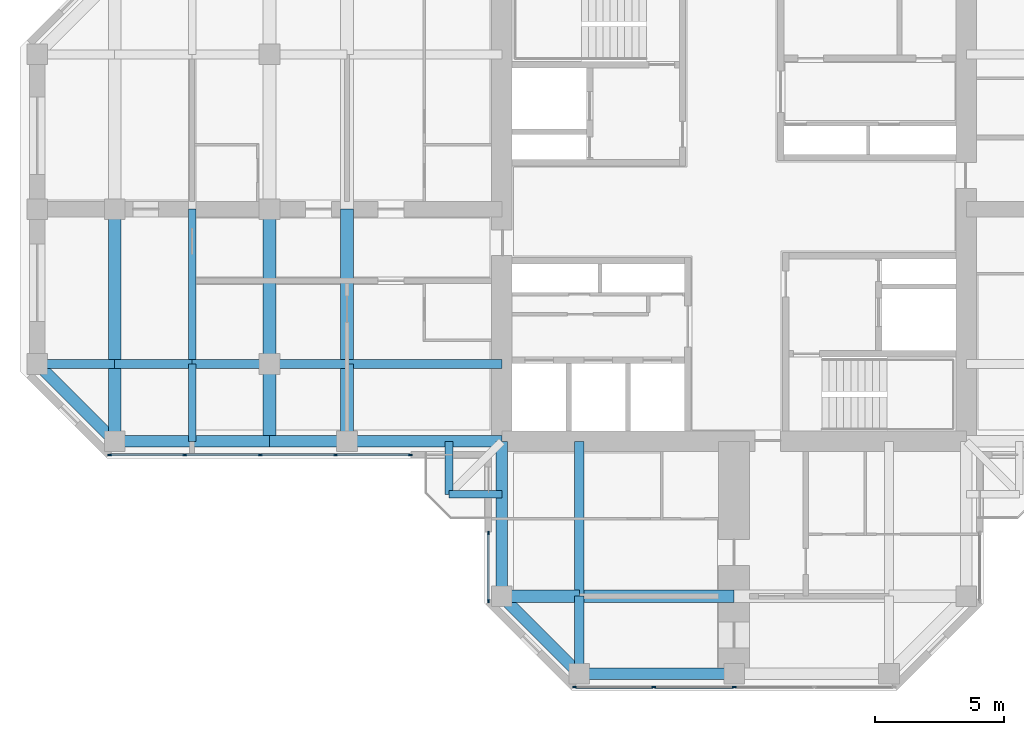
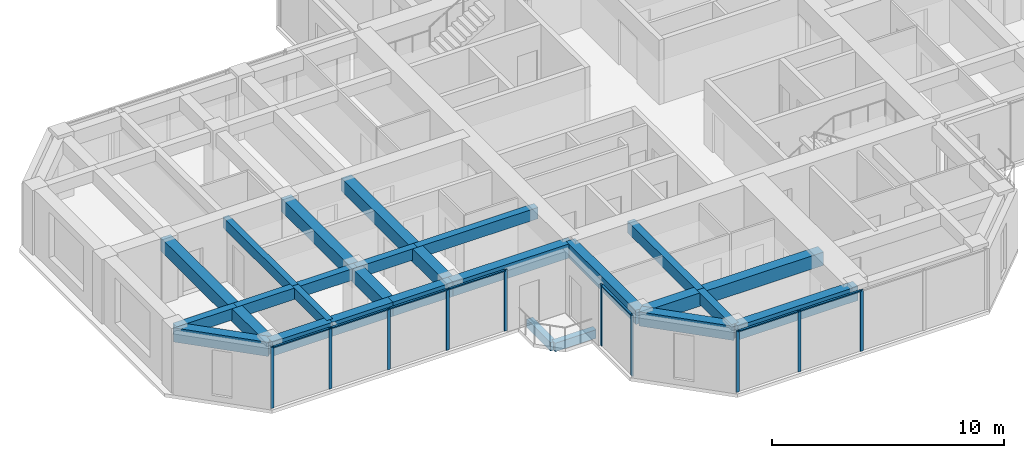
# One storey, part 2 of 13: 27 beams, 17 members, 3 elements without a shape of their own.
"""IFC4 building model written with IfcOpenShell, lengths in metres."""

from ifc_helpers import new_model, si_unit, direction, frame, origin, origin_2d, place, context, subcontext, project, spatial, rectangle, extrude, material, material_profile, profile_set, type_object, element, aggregate, save


model = new_model("IFC4")

# Units and contexts
model_context = context("Model", 3, precision=1e-05, world=origin(), true_north=direction((0.0, 1.0)))
body_context = subcontext(model_context, "Body", "Model", "MODEL_VIEW")
ifc_project = project(units=[si_unit("LENGTHUNIT", "METRE"), si_unit("AREAUNIT", "SQUARE_METRE"), si_unit("VOLUMEUNIT", "CUBIC_METRE"), si_unit("PLANEANGLEUNIT", "RADIAN"), si_unit("MASSUNIT", "GRAM", prefix="KILO")], contexts=[model_context])

# Site, building, storey
site_placement = place(None, origin())
site = spatial("IfcSite", under=ifc_project, at=site_placement, CompositionType="ELEMENT")
building_placement = place(site_placement, origin())
building = spatial("IfcBuilding", under=site, at=building_placement, Name="Torre Cruceta", CompositionType="ELEMENT")
storey_placement = place(building_placement, frame((0.0, 0.0, 232.300048828125)))
storey = spatial("IfcBuildingStorey", under=building, at=storey_placement, Name="L59", CompositionType="ELEMENT", Elevation=232.300048828125)

# Beams
ifc_material_1 = material(Name="Concrete G60 (fck 60 MPa)", Category="concrete")
ifc_material_profile_1 = material_profile(ifc_material_1, rectangle(XDim=0.300048828125, YDim=0.449951171875, at=origin_2d()), Name="RC 300X450")
ifc_profile_set_1 = profile_set([ifc_material_profile_1], Name="Concrete G60 (fck 60 MPa)")
beam_type_1 = type_object("IfcBeamType", Name="BALCONY CANTILEVER BEAM RC 300X450", PredefinedType="BEAM", material=ifc_profile_set_1)
for number, where, z_axis, x_axis, name in (
    (1, (-11.050537109375, -9.0, -0.405029296875), (0.0, -1.0, 0.0), (1.0, 0.0, 0.0), "BB1 balcony edge beam L59 W-X"),
    (2, (-9.0, -11.050537109375, -0.405029296875), (-1.0, 0.0, 0.0), (0.0, -1.0, 0.0), "BB1 balcony edge beam L59 W-Y"),
):
    element("IfcBeam", number, at=place(storey_placement, frame(where, z_axis=z_axis, x_axis=x_axis)), inside=storey, type_object=beam_type_1, Name=name, PredefinedType="BEAM", context=body_context, shape_type="SweptSolid", body=[
        extrude(rectangle(XDim=0.300048828125, YDim=0.449951171875, at=origin_2d()), origin(), (0.0, 0.0, 1.0), 2.050537109375),
    ])
ifc_material_2 = material(Name="Concrete G60 (fck 60 MPa)", Category="concrete")
ifc_material_profile_2 = material_profile(ifc_material_2, rectangle(XDim=0.35009765625, YDim=0.60009765625, at=origin_2d()), Name="RC 350X600")
ifc_profile_set_2 = profile_set([ifc_material_profile_2], Name="Concrete G60 (fck 60 MPa)")
beam_type_2 = type_object("IfcBeamType", Name="COLUMN LINE BEAM RC 350X600", PredefinedType="BEAM", material=ifc_profile_set_2)
beam_1_placement = place(storey_placement, frame((-6.0, -9.0, 2.919921875), z_axis=(0.0, -1.0, 0.0), x_axis=(1.0, 0.0, 0.0)))
element("IfcBeam", 3, at=beam_1_placement, inside=storey, type_object=beam_type_2, Name="LB9 L59 S col- 1", PredefinedType="BEAM", context=body_context, shape_type="SweptSolid", body=[
    extrude(rectangle(XDim=0.35009765625, YDim=0.60009765625, at=origin_2d()), origin(), (0.0, 0.0, 1.0), 6.0),
])
beam_2_placement = place(storey_placement, frame((-6.0, -15.0, 2.919921875), z_axis=(0.0, -1.0, 0.0), x_axis=(1.0, 0.0, 0.0)))
element("IfcBeam", 4, at=beam_2_placement, inside=storey, type_object=beam_type_2, Name="LB9 L59 S col- 2", PredefinedType="BEAM", context=body_context, shape_type="SweptSolid", body=[
    extrude(rectangle(XDim=0.35009765625, YDim=0.60009765625, at=origin_2d()), origin(), (0.0, 0.0, 1.0), 3.0),
])
beam_3_placement = place(storey_placement, frame((-9.0, -6.0, 2.919921875), z_axis=(-1.0, 0.0, 0.0), x_axis=(0.0, -1.0, 0.0)))
element("IfcBeam", 5, at=beam_3_placement, inside=storey, type_object=beam_type_2, Name="LB9 L59 W col+ 1", PredefinedType="BEAM", context=body_context, shape_type="SweptSolid", body=[
    extrude(rectangle(XDim=0.35009765625, YDim=0.60009765625, at=origin_2d()), origin(), (0.0, 0.0, 1.0), 6.0),
])
for number, where, z_axis, x_axis, name in (
    (6, (-15.0, -6.0, 2.919921875), (-1.0, 0.0, 0.0), (0.0, -1.0, 0.0), "LB9 L59 W col+ 2"),
    (7, (-18.0, -6.0, 2.919921875), (-1.0, 0.0, 0.0), (0.0, -1.0, 0.0), "LB9 L59 W col+ 3"),
    (8, (-21.0, -6.0, 2.919921875), (-1.0, 0.0, 0.0), (0.0, -1.0, 0.0), "LB9 L59 W col+ 4"),
    (9, (-24.0, -6.0, 2.919921875), (-1.0, 0.0, 0.0), (0.0, -1.0, 0.0), "LB9 L59 W col+ 5"),
):
    element("IfcBeam", number, at=place(storey_placement, frame(where, z_axis=z_axis, x_axis=x_axis)), inside=storey, type_object=beam_type_2, Name=name, PredefinedType="BEAM", context=body_context, shape_type="SweptSolid", body=[
        extrude(rectangle(XDim=0.35009765625, YDim=0.60009765625, at=origin_2d()), origin(), (0.0, 0.0, 1.0), 3.0),
    ])
ifc_material_3 = material(Name="Concrete G60 (fck 60 MPa)", Category="concrete")
ifc_material_profile_3 = material_profile(ifc_material_3, rectangle(XDim=0.5, YDim=0.699951171875, at=origin_2d()), Name="RC 500X700")
ifc_profile_set_3 = profile_set([ifc_material_profile_3], Name="Concrete G60 (fck 60 MPa)")
beam_type_3 = type_object("IfcBeamType", Name="CROSS BEAM RC 500X700", PredefinedType="BEAM", material=ifc_profile_set_3)
beam_4_placement = place(storey_placement, frame((-9.0, -15.0, 2.869873046875), z_axis=(1.0, 0.0, 0.0), x_axis=(0.0, 1.0, 0.0)))
element("IfcBeam", 10, at=beam_4_placement, inside=storey, type_object=beam_type_3, Name="GB7 L59 S cross15 1", PredefinedType="BEAM", context=body_context, shape_type="SweptSolid", body=[
    extrude(rectangle(XDim=0.5, YDim=0.699951171875, at=origin_2d()), origin(), (0.0, 0.0, 1.0), 3.0),
])
for number, where, z_axis, x_axis, name in (
    (11, (-6.0, -15.0, 2.869873046875), (1.0, 0.0, 0.0), (0.0, 1.0, 0.0), "GB7 L59 S cross15 2"),
    (12, (-15.0, 0.0, 2.869873046875), (0.0, -1.0, 0.0), (1.0, 0.0, 0.0), "GB7 L59 W cross15 3"),
):
    element("IfcBeam", number, at=place(storey_placement, frame(where, z_axis=z_axis, x_axis=x_axis)), inside=storey, type_object=beam_type_3, Name=name, PredefinedType="BEAM", context=body_context, shape_type="SweptSolid", body=[
        extrude(rectangle(XDim=0.5, YDim=0.699951171875, at=origin_2d()), origin(), (0.0, 0.0, 1.0), 6.0),
    ])
beam_5_placement = place(storey_placement, frame((-15.0, -6.0, 2.869873046875), z_axis=(0.0, -1.0, 0.0), x_axis=(1.0, 0.0, 0.0)))
element("IfcBeam", 13, at=beam_5_placement, inside=storey, type_object=beam_type_3, Name="GB7 L59 W cross15 4", PredefinedType="BEAM", context=body_context, shape_type="SweptSolid", body=[
    extrude(rectangle(XDim=0.5, YDim=0.699951171875, at=origin_2d()), origin(), (0.0, 0.0, 1.0), 3.0),
])
beam_6_placement = place(storey_placement, frame((-18.0, 0.0, 2.869873046875), z_axis=(0.0, -1.0, 0.0), x_axis=(1.0, 0.0, 0.0)))
element("IfcBeam", 14, at=beam_6_placement, inside=storey, type_object=beam_type_3, Name="GB7 L59 W cross18 3", PredefinedType="BEAM", context=body_context, shape_type="SweptSolid", body=[
    extrude(rectangle(XDim=0.5, YDim=0.699951171875, at=origin_2d()), origin(), (0.0, 0.0, 1.0), 6.0),
])
beam_7_placement = place(storey_placement, frame((-18.0, -6.0, 2.869873046875), z_axis=(0.0, -1.0, 0.0), x_axis=(1.0, 0.0, 0.0)))
element("IfcBeam", 15, at=beam_7_placement, inside=storey, type_object=beam_type_3, Name="GB7 L59 W cross18 4", PredefinedType="BEAM", context=body_context, shape_type="SweptSolid", body=[
    extrude(rectangle(XDim=0.5, YDim=0.699951171875, at=origin_2d()), origin(), (0.0, 0.0, 1.0), 3.0),
])
beam_8_placement = place(storey_placement, frame((-24.0, 0.0, 2.869873046875), z_axis=(0.0, -1.0, 0.0), x_axis=(1.0, 0.0, 0.0)))
element("IfcBeam", 16, at=beam_8_placement, inside=storey, type_object=beam_type_3, Name="GB7 L59 W cross24 3", PredefinedType="BEAM", context=body_context, shape_type="SweptSolid", body=[
    extrude(rectangle(XDim=0.5, YDim=0.699951171875, at=origin_2d()), origin(), (0.0, 0.0, 1.0), 6.0),
])
beam_9_placement = place(storey_placement, frame((-24.0, -6.0, 2.869873046875), z_axis=(0.0, -1.0, 0.0), x_axis=(1.0, 0.0, 0.0)))
element("IfcBeam", 17, at=beam_9_placement, inside=storey, type_object=beam_type_3, Name="GB7 L59 W cross24 4", PredefinedType="BEAM", context=body_context, shape_type="SweptSolid", body=[
    extrude(rectangle(XDim=0.5, YDim=0.699951171875, at=origin_2d()), origin(), (0.0, 0.0, 1.0), 3.0),
])

# Curtain wall, members
ifc_material_4 = material(Name="Aluminium unitised curtain wall", Category="aluminium")
curtain_wall_type = type_object("IfcCurtainWallType", Name="CURTAIN WALL CW-D CO-LIVING UPPER", PredefinedType="USERDEFINED", material=ifc_material_4)
curtain_wall_1_placement = place(storey_placement, origin())
curtain_wall_1 = element("IfcCurtainWall", 18, at=curtain_wall_1_placement, inside=storey, type_object=curtain_wall_type, Name="CW-D L59 W side 14", ObjectType="UNITISED", PredefinedType="USERDEFINED")
ifc_material_5 = material(Name="Aluminium mullion", Category="aluminium")
ifc_material_profile_4 = material_profile(ifc_material_5, rectangle(XDim=0.06005859375, YDim=0.14990234375, at=origin_2d()), Name="AL 60X150")
ifc_profile_set_4 = profile_set([ifc_material_profile_4], Name="Aluminium mullion")
member_type_1 = type_object("IfcMemberType", Name="CW-D MULLION 60X150", PredefinedType="MULLION", material=ifc_profile_set_4)
member_1_placement = place(storey_placement, frame((-24.185302734375, -9.52001953125, 0.0), z_axis=(0.0, 0.0, 1.0), x_axis=(0.0, 1.0, 0.0)))
member_1 = element("IfcMember", 19, at=member_1_placement, type_object=member_type_1, Name="CW-D mullion 1", PredefinedType="MULLION", context=body_context, shape_type="SweptSolid", body=[
    extrude(rectangle(XDim=0.06005859375, YDim=0.14990234375, at=origin_2d()), origin(), (0.0, 0.0, 1.0), 3.219970703125),
])
member_2_placement = place(storey_placement, frame((-21.29150390625, -9.52001953125, 0.0), z_axis=(0.0, 0.0, 1.0), x_axis=(0.0, 1.0, 0.0)))
member_2 = element("IfcMember", 20, at=member_2_placement, type_object=member_type_1, Name="CW-D mullion 2", PredefinedType="MULLION", context=body_context, shape_type="SweptSolid", body=[
    extrude(rectangle(XDim=0.06005859375, YDim=0.14990234375, at=origin_2d()), origin(), (0.0, 0.0, 1.0), 3.219970703125),
])
member_3_placement = place(storey_placement, frame((-18.36767578125, -9.52001953125, 0.0), z_axis=(0.0, 0.0, 1.0), x_axis=(0.0, 1.0, 0.0)))
member_3 = element("IfcMember", 21, at=member_3_placement, type_object=member_type_1, Name="CW-D mullion 3", PredefinedType="MULLION", context=body_context, shape_type="SweptSolid", body=[
    extrude(rectangle(XDim=0.06005859375, YDim=0.14990234375, at=origin_2d()), origin(), (0.0, 0.0, 1.0), 3.219970703125),
])
member_4_placement = place(storey_placement, frame((-15.44384765625, -9.52001953125, 0.0), z_axis=(0.0, 0.0, 1.0), x_axis=(0.0, 1.0, 0.0)))
member_4 = element("IfcMember", 22, at=member_4_placement, type_object=member_type_1, Name="CW-D mullion 4", PredefinedType="MULLION", context=body_context, shape_type="SweptSolid", body=[
    extrude(rectangle(XDim=0.06005859375, YDim=0.14990234375, at=origin_2d()), origin(), (0.0, 0.0, 1.0), 3.219970703125),
])
member_5_placement = place(storey_placement, frame((-12.550048828125, -9.52001953125, 0.0), z_axis=(0.0, 0.0, 1.0), x_axis=(0.0, 1.0, 0.0)))
member_5 = element("IfcMember", 23, at=member_5_placement, type_object=member_type_1, Name="CW-D mullion 5", PredefinedType="MULLION", context=body_context, shape_type="SweptSolid", body=[
    extrude(rectangle(XDim=0.06005859375, YDim=0.14990234375, at=origin_2d()), origin(), (0.0, 0.0, 1.0), 3.219970703125),
])

curtain_wall_2_placement = place(storey_placement, origin())
curtain_wall_2 = element("IfcCurtainWall", 24, at=curtain_wall_2_placement, inside=storey, type_object=curtain_wall_type, Name="CW-D L59 S side 15", ObjectType="UNITISED", PredefinedType="USERDEFINED")
member_6_placement = place(storey_placement, frame((-9.52001953125, -12.550048828125, 0.0), z_axis=(0.0, 0.0, 1.0), x_axis=(1.0, 0.0, 0.0)))
member_6 = element("IfcMember", 25, at=member_6_placement, type_object=member_type_1, Name="CW-D mullion 1", PredefinedType="MULLION", context=body_context, shape_type="SweptSolid", body=[
    extrude(rectangle(XDim=0.06005859375, YDim=0.14990234375, at=origin_2d()), origin(), (0.0, 0.0, 1.0), 3.219970703125),
])
member_7_placement = place(storey_placement, frame((-9.52001953125, -15.185302734375, 0.0), z_axis=(0.0, 0.0, 1.0), x_axis=(1.0, 0.0, 0.0)))
member_7 = element("IfcMember", 26, at=member_7_placement, type_object=member_type_1, Name="CW-D mullion 2", PredefinedType="MULLION", context=body_context, shape_type="SweptSolid", body=[
    extrude(rectangle(XDim=0.06005859375, YDim=0.14990234375, at=origin_2d()), origin(), (0.0, 0.0, 1.0), 3.219970703125),
])

curtain_wall_3_placement = place(storey_placement, origin())
curtain_wall_3 = element("IfcCurtainWall", 27, at=curtain_wall_3_placement, inside=storey, type_object=curtain_wall_type, Name="CW-D L59 S tip 17", ObjectType="UNITISED", PredefinedType="USERDEFINED")
member_8_placement = place(storey_placement, frame((-6.185302734375, -18.52001953125, 0.0), z_axis=(0.0, 0.0, 1.0), x_axis=(0.0, 1.0, 0.0)))
member_8 = element("IfcMember", 28, at=member_8_placement, type_object=member_type_1, Name="CW-D mullion 1", PredefinedType="MULLION", context=body_context, shape_type="SweptSolid", body=[
    extrude(rectangle(XDim=0.06005859375, YDim=0.14990234375, at=origin_2d()), origin(), (0.0, 0.0, 1.0), 3.219970703125),
])
member_9_placement = place(storey_placement, frame((-3.107666015625, -18.52001953125, 0.0), z_axis=(0.0, 0.0, 1.0), x_axis=(0.0, 1.0, 0.0)))
member_9 = element("IfcMember", 29, at=member_9_placement, type_object=member_type_1, Name="CW-D mullion 2", PredefinedType="MULLION", context=body_context, shape_type="SweptSolid", body=[
    extrude(rectangle(XDim=0.06005859375, YDim=0.14990234375, at=origin_2d()), origin(), (0.0, 0.0, 1.0), 3.219970703125),
])
member_10_placement = place(storey_placement, frame((0.0, -18.52001953125, 0.0), z_axis=(0.0, 0.0, 1.0), x_axis=(0.0, 1.0, 0.0)))
member_10 = element("IfcMember", 30, at=member_10_placement, type_object=member_type_1, Name="CW-D mullion 3", PredefinedType="MULLION", context=body_context, shape_type="SweptSolid", body=[
    extrude(rectangle(XDim=0.06005859375, YDim=0.14990234375, at=origin_2d()), origin(), (0.0, 0.0, 1.0), 3.219970703125),
])

# Member
ifc_material_6 = material(Name="Aluminium transom", Category="aluminium")
ifc_material_profile_5 = material_profile(ifc_material_6, rectangle(XDim=0.10009765625, YDim=0.06005859375, at=origin_2d()), Name="AL 100X60")
ifc_profile_set_5 = profile_set([ifc_material_profile_5], Name="Aluminium transom")
member_type_2 = type_object("IfcMemberType", Name="CW-D TRANSOM 60X100", PredefinedType="USERDEFINED", material=ifc_profile_set_5)
member_11_placement = place(storey_placement, frame((-24.1552734375, -9.52001953125, 3.18994140625), z_axis=(1.0, 0.0, 0.0), x_axis=(0.0, 1.0, 0.0)))
member_11 = element("IfcMember", 31, at=member_11_placement, type_object=member_type_2, Name="CW-D transom 1", ObjectType="TRANSOM", PredefinedType="USERDEFINED", context=body_context, shape_type="SweptSolid", body=[
    extrude(rectangle(XDim=0.10009765625, YDim=0.06005859375, at=origin_2d()), origin(), (0.0, 0.0, 1.0), 2.833740234375),
])

member_12_placement = place(storey_placement, frame((-21.261474609375, -9.52001953125, 3.18994140625), z_axis=(1.0, 0.0, 0.0), x_axis=(0.0, 1.0, 0.0)))
member_12 = element("IfcMember", 32, at=member_12_placement, type_object=member_type_2, Name="CW-D transom 2", ObjectType="TRANSOM", PredefinedType="USERDEFINED", context=body_context, shape_type="SweptSolid", body=[
    extrude(rectangle(XDim=0.10009765625, YDim=0.06005859375, at=origin_2d()), origin(), (0.0, 0.0, 1.0), 2.86376953125),
])

member_13_placement = place(storey_placement, frame((-18.337646484375, -9.52001953125, 3.18994140625), z_axis=(1.0, 0.0, 0.0), x_axis=(0.0, 1.0, 0.0)))
member_13 = element("IfcMember", 33, at=member_13_placement, type_object=member_type_2, Name="CW-D transom 3", ObjectType="TRANSOM", PredefinedType="USERDEFINED", context=body_context, shape_type="SweptSolid", body=[
    extrude(rectangle(XDim=0.10009765625, YDim=0.06005859375, at=origin_2d()), origin(), (0.0, 0.0, 1.0), 2.86376953125),
])

member_14_placement = place(storey_placement, frame((-15.413818359375, -9.52001953125, 3.18994140625), z_axis=(1.0, 0.0, 0.0), x_axis=(0.0, 1.0, 0.0)))
member_14 = element("IfcMember", 34, at=member_14_placement, type_object=member_type_2, Name="CW-D transom 4", ObjectType="TRANSOM", PredefinedType="USERDEFINED", context=body_context, shape_type="SweptSolid", body=[
    extrude(rectangle(XDim=0.10009765625, YDim=0.06005859375, at=origin_2d()), origin(), (0.0, 0.0, 1.0), 2.833740234375),
])

aggregate(curtain_wall_1, [member_1, member_2, member_3, member_4, member_5, member_11, member_12, member_13, member_14])

member_15_placement = place(storey_placement, frame((-9.52001953125, -12.580078125, 3.18994140625), z_axis=(0.0, -1.0, 0.0), x_axis=(1.0, 0.0, 0.0)))
member_15 = element("IfcMember", 35, at=member_15_placement, type_object=member_type_2, Name="CW-D transom 1", ObjectType="TRANSOM", PredefinedType="USERDEFINED", context=body_context, shape_type="SweptSolid", body=[
    extrude(rectangle(XDim=0.10009765625, YDim=0.06005859375, at=origin_2d()), origin(), (0.0, 0.0, 1.0), 2.5751953125),
])

aggregate(curtain_wall_2, [member_6, member_7, member_15])

member_16_placement = place(storey_placement, frame((-6.1552734375, -18.52001953125, 3.18994140625), z_axis=(1.0, 0.0, 0.0), x_axis=(0.0, 1.0, 0.0)))
member_16 = element("IfcMember", 36, at=member_16_placement, type_object=member_type_2, Name="CW-D transom 1", ObjectType="TRANSOM", PredefinedType="USERDEFINED", context=body_context, shape_type="SweptSolid", body=[
    extrude(rectangle(XDim=0.10009765625, YDim=0.06005859375, at=origin_2d()), origin(), (0.0, 0.0, 1.0), 3.017578125),
])

member_17_placement = place(storey_placement, frame((-3.07763671875, -18.52001953125, 3.18994140625), z_axis=(1.0, 0.0, 0.0), x_axis=(0.0, 1.0, 0.0)))
member_17 = element("IfcMember", 37, at=member_17_placement, type_object=member_type_2, Name="CW-D transom 2", ObjectType="TRANSOM", PredefinedType="USERDEFINED", context=body_context, shape_type="SweptSolid", body=[
    extrude(rectangle(XDim=0.10009765625, YDim=0.06005859375, at=origin_2d()), origin(), (0.0, 0.0, 1.0), 3.047607421875),
])

aggregate(curtain_wall_3, [member_8, member_9, member_10, member_16, member_17])

# Beams
ifc_material_7 = material(Name="Concrete G60 (fck 60 MPa)", Category="concrete")
ifc_material_profile_6 = material_profile(ifc_material_7, rectangle(XDim=0.300048828125, YDim=0.550048828125, at=origin_2d()), Name="RC 300X550")
ifc_profile_set_6 = profile_set([ifc_material_profile_6], Name="Concrete G60 (fck 60 MPa)")
beam_type_4 = type_object("IfcBeamType", Name="SECONDARY BEAM RC 300X550", PredefinedType="JOIST", material=ifc_profile_set_6)
beam_10_placement = place(storey_placement, frame((-21.0, 0.0, 2.945068359375), z_axis=(0.0, -1.0, 0.0), x_axis=(1.0, 0.0, 0.0)))
element("IfcBeam", 38, at=beam_10_placement, inside=storey, type_object=beam_type_4, Name="JB7 L59 W sec21 3", PredefinedType="JOIST", context=body_context, shape_type="SweptSolid", body=[
    extrude(rectangle(XDim=0.300048828125, YDim=0.550048828125, at=origin_2d()), origin(), (0.0, 0.0, 1.0), 6.0),
])
beam_11_placement = place(storey_placement, frame((-21.0, -6.0, 2.945068359375), z_axis=(0.0, -1.0, 0.0), x_axis=(1.0, 0.0, 0.0)))
element("IfcBeam", 39, at=beam_11_placement, inside=storey, type_object=beam_type_4, Name="JB7 L59 W sec21 4", PredefinedType="JOIST", context=body_context, shape_type="SweptSolid", body=[
    extrude(rectangle(XDim=0.300048828125, YDim=0.550048828125, at=origin_2d()), origin(), (0.0, 0.0, 1.0), 3.0),
])
ifc_material_8 = material(Name="Concrete G60 (fck 60 MPa)", Category="concrete")
ifc_material_profile_7 = material_profile(ifc_material_8, rectangle(XDim=0.449951171875, YDim=0.75, at=origin_2d()), Name="RC 450X750")
ifc_profile_set_7 = profile_set([ifc_material_profile_7], Name="Concrete G60 (fck 60 MPa)")
beam_type_5 = type_object("IfcBeamType", Name="SPANDREL BEAM RC 450X750", PredefinedType="SPANDREL", material=ifc_profile_set_7)
beam_12_placement = place(storey_placement, frame((-9.0, -9.0, 2.844970703125), z_axis=(0.0, -1.0, 0.0), x_axis=(1.0, 0.0, 0.0)))
element("IfcBeam", 40, at=beam_12_placement, inside=storey, type_object=beam_type_5, Name="SB7 L59 S side- 1", PredefinedType="SPANDREL", context=body_context, shape_type="SweptSolid", body=[
    extrude(rectangle(XDim=0.449951171875, YDim=0.75, at=origin_2d()), origin(), (0.0, 0.0, 1.0), 6.0),
])
beam_13_placement = place(storey_placement, frame((-9.0, -15.0, 2.844970703125), z_axis=(0.707106781187, -0.707106781187, 0.0), x_axis=(0.707106781187, 0.707106781187, 0.0)))
element("IfcBeam", 41, at=beam_13_placement, inside=storey, type_object=beam_type_5, Name="SB7 L59 S side- 2", PredefinedType="SPANDREL", context=body_context, shape_type="SweptSolid", body=[
    extrude(rectangle(XDim=0.449951171875, YDim=0.75, at=origin_2d()), origin(), (0.0, 0.0, 1.0), 4.24267578125),
])
for number, where, z_axis, x_axis, name in (
    (42, (-6.0, -18.0, 2.844970703125), (1.0, 0.0, 0.0), (0.0, 1.0, 0.0), "SB7 L59 S tip 1"),
    (43, (-9.0, -9.0, 2.844970703125), (-1.0, 0.0, 0.0), (0.0, -1.0, 0.0), "SB7 L59 W side+ 1"),
):
    element("IfcBeam", number, at=place(storey_placement, frame(where, z_axis=z_axis, x_axis=x_axis)), inside=storey, type_object=beam_type_5, Name=name, PredefinedType="SPANDREL", context=body_context, shape_type="SweptSolid", body=[
        extrude(rectangle(XDim=0.449951171875, YDim=0.75, at=origin_2d()), origin(), (0.0, 0.0, 1.0), 6.0),
    ])
for number, where, z_axis, x_axis, name in (
    (44, (-15.0, -9.0, 2.844970703125), (-1.0, 0.0, 0.0), (0.0, -1.0, 0.0), "SB7 L59 W side+ 2"),
    (45, (-18.0, -9.0, 2.844970703125), (-1.0, 0.0, 0.0), (0.0, -1.0, 0.0), "SB7 L59 W side+ 3"),
    (46, (-21.0, -9.0, 2.844970703125), (-1.0, 0.0, 0.0), (0.0, -1.0, 0.0), "SB7 L59 W side+ 4"),
):
    element("IfcBeam", number, at=place(storey_placement, frame(where, z_axis=z_axis, x_axis=x_axis)), inside=storey, type_object=beam_type_5, Name=name, PredefinedType="SPANDREL", context=body_context, shape_type="SweptSolid", body=[
        extrude(rectangle(XDim=0.449951171875, YDim=0.75, at=origin_2d()), origin(), (0.0, 0.0, 1.0), 3.0),
    ])
beam_14_placement = place(storey_placement, frame((-24.0, -9.0, 2.844970703125), z_axis=(-0.707106781187, 0.707106781187, 0.0), x_axis=(-0.707106781187, -0.707106781187, 0.0)))
element("IfcBeam", 47, at=beam_14_placement, inside=storey, type_object=beam_type_5, Name="SB7 L59 W side+ 5", PredefinedType="SPANDREL", context=body_context, shape_type="SweptSolid", body=[
    extrude(rectangle(XDim=0.449951171875, YDim=0.75, at=origin_2d()), origin(), (0.0, 0.0, 1.0), 4.24267578125),
])

save(model, "model.ifc")
